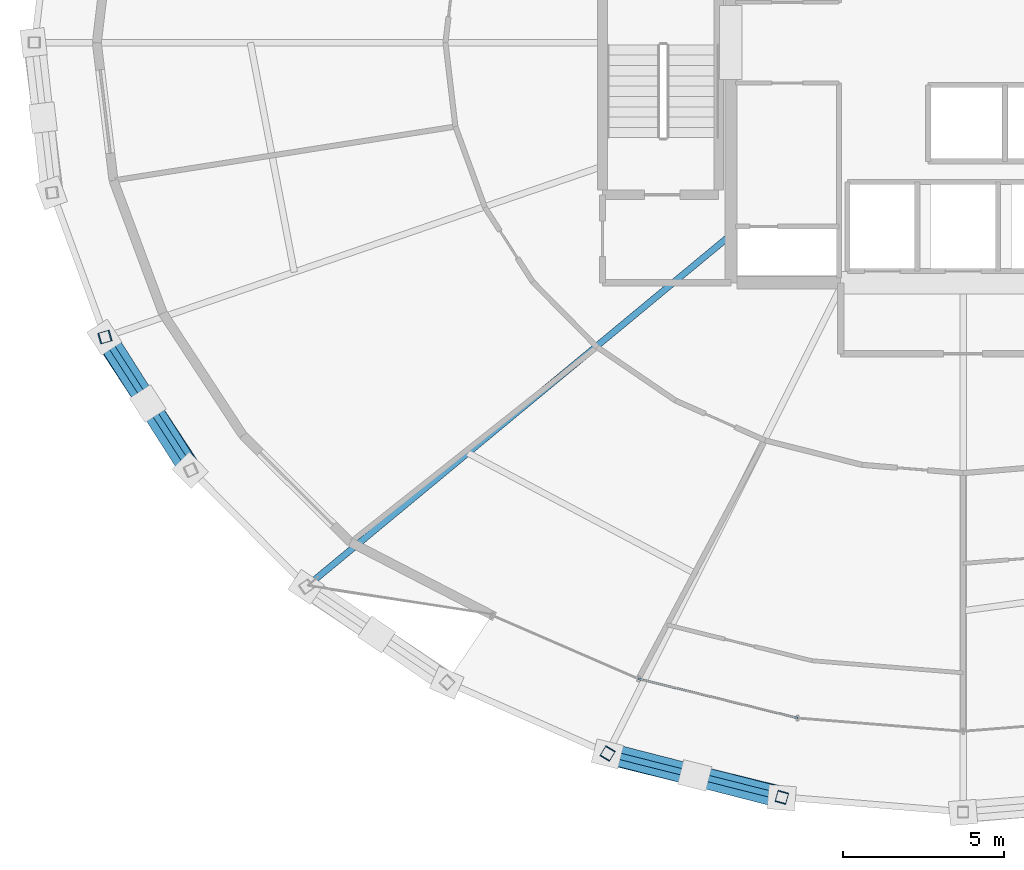
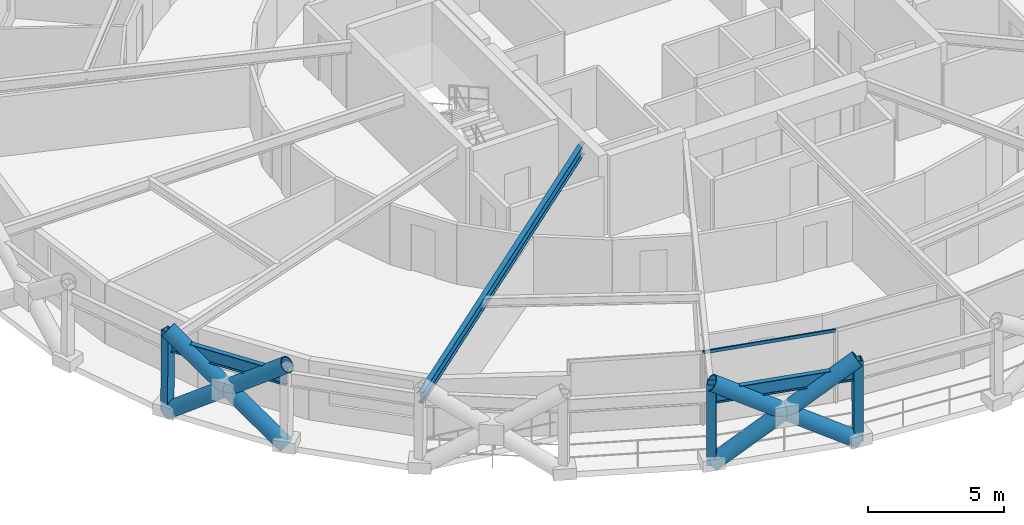
# One storey, part 2 of 23: 10 members, 3 beams, 1 element without a shape of its own.
"""IFC4 building model written with IfcOpenShell, lengths in metres."""

from ifc_helpers import new_model, si_unit, direction, frame, origin, origin_2d, place, context, subcontext, project, spatial, hollow_rectangle, hollow_circle, i_section, extrude, material, layer, layer_set, material_profile, profile_set, type_object, element, aggregate, save


model = new_model("IFC4")

# Units and contexts
model_context = context("Model", 3, precision=1e-05, world=origin(), true_north=direction((0.0, 1.0)))
body_context = subcontext(model_context, "Body", "Model", "MODEL_VIEW")
ifc_project = project(units=[si_unit("LENGTHUNIT", "METRE"), si_unit("AREAUNIT", "SQUARE_METRE"), si_unit("VOLUMEUNIT", "CUBIC_METRE"), si_unit("PLANEANGLEUNIT", "RADIAN"), si_unit("MASSUNIT", "GRAM", prefix="KILO")], contexts=[model_context])

# Site, building, storey
site_placement = place(None, origin())
site = spatial("IfcSite", under=ifc_project, at=site_placement, CompositionType="ELEMENT")
building_placement = place(site_placement, origin())
building = spatial("IfcBuilding", under=site, at=building_placement, Name="Veldorina Hangang Commons", CompositionType="ELEMENT")
storey_placement = place(building_placement, frame((0.0, 0.0, 102.39990234375)))
storey = spatial("IfcBuildingStorey", under=building, at=storey_placement, Name="L26", CompositionType="ELEMENT", Elevation=102.39990234375)

# Beams
ifc_material_1 = material(Name="Steel SM420-TMC", Category="steel")
ifc_material_profile_1 = material_profile(ifc_material_1, i_section(OverallWidth=0.199951171875, OverallDepth=0.5, WebThickness=0.010009765625, FlangeThickness=0.01611328125, FilletRadius=0.01611328125, at=origin_2d()), Name="H-500x200x10x16")
ifc_profile_set_1 = profile_set([ifc_material_profile_1], Name="Steel SM420-TMC")
beam_type_1 = type_object("IfcBeamType", Name="BM-FG500", PredefinedType="BEAM", material=ifc_profile_set_1)
beam_1_placement = place(storey_placement, frame((24.800048828125, 18.03466796875, 3.050048828125), z_axis=(-0.770039411269, -0.637996320595, 0.0), x_axis=(0.637996320595, -0.770039411269, 0.0)))
element("IfcBeam", 1, at=beam_1_placement, inside=storey, type_object=beam_type_1, Name="L26 radial floor girder 11", PredefinedType="BEAM", context=body_context, shape_type="SweptSolid", body=[
    extrude(i_section(OverallWidth=0.199951171875, OverallDepth=0.5, WebThickness=0.010009765625, FlangeThickness=0.01611328125, FilletRadius=0.01611328125, at=origin_2d()), origin(), (0.0, 0.0, 1.0), 17.086181640625),
])
ifc_material_profile_2 = material_profile(ifc_material_1, i_section(OverallWidth=0.199951171875, OverallDepth=0.60009765625, WebThickness=0.010986328125, FlangeThickness=0.01708984375, FilletRadius=0.01806640625, at=origin_2d()), Name="H-600x200x11x17")
ifc_profile_set_2 = profile_set([ifc_material_profile_2], Name="Steel SM420-TMC")
beam_type_2 = type_object("IfcBeamType", Name="BM-RB600", PredefinedType="BEAM", material=ifc_profile_set_2)
beam_2_placement = place(storey_placement, frame((5.40234375, 14.8720703125, 3.0), z_axis=(0.542112138845, -0.840306151898, 0.0), x_axis=(0.840306151898, 0.542112138845, 0.0)))
element("IfcBeam", 2, at=beam_2_placement, inside=storey, type_object=beam_type_2, Name="L26 perimeter hoop ring beam 18", PredefinedType="BEAM", context=body_context, shape_type="SweptSolid", body=[
    extrude(i_section(OverallWidth=0.199951171875, OverallDepth=0.60009765625, WebThickness=0.010986328125, FlangeThickness=0.01708984375, FilletRadius=0.01806640625, at=origin_2d()), origin(), (0.0, 0.0, 1.0), 4.907470703125),
])
beam_3_placement = place(storey_placement, frame((20.98291015625, 1.96337890625, 3.0), z_axis=(0.969834827594, -0.243763014394, 0.0), x_axis=(0.243763014394, 0.969834827594, 0.0)))
element("IfcBeam", 3, at=beam_3_placement, inside=storey, type_object=beam_type_2, Name="L26 perimeter hoop ring beam 22", PredefinedType="BEAM", context=body_context, shape_type="SweptSolid", body=[
    extrude(i_section(OverallWidth=0.199951171875, OverallDepth=0.60009765625, WebThickness=0.010986328125, FlangeThickness=0.01708984375, FilletRadius=0.01806640625, at=origin_2d()), origin(), (0.0, 0.0, 1.0), 5.568603515625),
])

# Curtain wall, member
ifc_material_2 = material(Name="Glass Low-E Triple IGU", Category="glass")
ifc_layer = layer(ifc_material_2, 0.179931640625)
ifc_layer_set = layer_set([ifc_layer], Name="Glass Low-E Triple IGU")
curtain_wall_type = type_object("IfcCurtainWallType", Name="CW-SYS-Z1", PredefinedType="NOTDEFINED", material=ifc_layer_set)
curtain_wall_placement = place(storey_placement, origin())
curtain_wall = element("IfcCurtainWall", 4, at=curtain_wall_placement, inside=storey, type_object=curtain_wall_type, Name="L26 unitised curtain wall CW-L26-R1", PredefinedType="NOTDEFINED")
ifc_material_3 = material(Name="Aluminium Anodized AA6063-T6", Category="aluminium")
ifc_material_profile_3 = material_profile(ifc_material_3, hollow_rectangle(XDim=0.06005859375, YDim=0.139892578125, WallThickness=0.00341796875, at=origin_2d()), Name="ALU-RHS-140x60x3.5")
ifc_profile_set_3 = profile_set([ifc_material_profile_3], Name="Aluminium Anodized AA6063-T6")
member_type_1 = type_object("IfcMemberType", Name="CW-TRN-140", PredefinedType="USERDEFINED", material=ifc_profile_set_3)
member_1_placement = place(storey_placement, frame((21.935546875, 4.271728515625, 3.22021484375), z_axis=(0.970984503722, -0.239142412659, 0.0), x_axis=(0.239142412659, 0.970984503722, 0.0)))
member_1 = element("IfcMember", 5, at=member_1_placement, type_object=member_type_1, Name="CW-L26-R1 facet 2 transom 1", ObjectType="TRANSOM", PredefinedType="USERDEFINED", context=body_context, shape_type="SweptSolid", body=[
    extrude(hollow_rectangle(XDim=0.06005859375, YDim=0.139892578125, WallThickness=0.00341796875, at=origin_2d()), origin(), (0.0, 0.0, 1.0), 5.0810546875),
])
aggregate(curtain_wall, [member_1])

# Members
ifc_material_4 = material(Name="Steel SM460-TMC", Category="steel")
ifc_material_profile_4 = material_profile(ifc_material_4, hollow_circle(Radius=0.324951171875, WallThickness=0.031982421875, at=origin_2d()), Name="CHS-650x32")
ifc_profile_set_4 = profile_set([ifc_material_profile_4], Name="Steel SM460-TMC")
member_type_2 = type_object("IfcMemberType", Name="DG-CHS650", PredefinedType="BRACE", material=ifc_profile_set_4)
member_2_placement = place(storey_placement, frame((5.374267578125, 14.864013671875, 0.0), z_axis=(0.442018336288, -0.674986398058, 0.590773351482), x_axis=(0.83658276717, 0.547840554973, 0.0)))
element("IfcMember", 6, at=member_2_placement, inside=storey, type_object=member_type_2, Name="L26 continuous perimeter diagrid brace 18", PredefinedType="BRACE", context=body_context, shape_type="SweptSolid", body=[
    extrude(hollow_circle(Radius=0.324951171875, WallThickness=0.031982421875, at=origin_2d()), origin(), (0.0, 0.0, 1.0), 6.093994140625),
])
member_3_placement = place(storey_placement, frame((8.037353515625, 10.736572265625, 0.0), z_axis=(-0.432407406292, 0.680185114704, 0.591922329972), x_axis=(-0.843907352672, -0.536488937543, 0.0)))
element("IfcMember", 7, at=member_3_placement, inside=storey, type_object=member_type_2, Name="L26 split perimeter diagrid lower brace 19", PredefinedType="BRACE", context=body_context, shape_type="SweptSolid", body=[
    extrude(hollow_circle(Radius=0.324951171875, WallThickness=0.031982421875, at=origin_2d()), origin(), (0.0, 0.0, 1.0), 3.042724609375),
])
member_4_placement = place(storey_placement, frame((6.7216796875, 12.80615234375, 1.801025390625), z_axis=(-0.432173096383, 0.68031114373, 0.591948614729), x_axis=(-0.844083933626, -0.536211071308, 0.0)))
element("IfcMember", 8, at=member_4_placement, inside=storey, type_object=member_type_2, Name="L26 split perimeter diagrid upper brace 19", PredefinedType="BRACE", context=body_context, shape_type="SweptSolid", body=[
    extrude(hollow_circle(Radius=0.324951171875, WallThickness=0.031982421875, at=origin_2d()), origin(), (0.0, 0.0, 1.0), 3.039306640625),
])
member_5_placement = place(storey_placement, frame((20.97119140625, 1.943603515625, 0.0), z_axis=(0.8157035138, -0.200927779939, 0.542453504757), x_axis=(0.239175300549, 0.970976403219, 0.0)))
element("IfcMember", 9, at=member_5_placement, inside=storey, type_object=member_type_2, Name="L26 continuous perimeter diagrid brace 22", PredefinedType="BRACE", context=body_context, shape_type="SweptSolid", body=[
    extrude(hollow_circle(Radius=0.324951171875, WallThickness=0.031982421875, at=origin_2d()), origin(), (0.0, 0.0, 1.0), 6.63671875),
])
member_6_placement = place(storey_placement, frame((26.377685546875, 0.5849609375, 0.0), z_axis=(-0.813410174456, 0.208449698132, 0.543058570911), x_axis=(-0.248244592546, -0.96869738426, 0.0)))
element("IfcMember", 10, at=member_6_placement, inside=storey, type_object=member_type_2, Name="L26 split perimeter diagrid lower brace 23", PredefinedType="BRACE", context=body_context, shape_type="SweptSolid", body=[
    extrude(hollow_circle(Radius=0.324951171875, WallThickness=0.031982421875, at=origin_2d()), origin(), (0.0, 0.0, 1.0), 3.31689453125),
])
member_7_placement = place(storey_placement, frame((23.6796875, 1.2763671875, 1.80126953125), z_axis=(-0.813386652004, 0.208579578214, 0.543043933668), x_axis=(-0.248396467615, -0.968658451094, 0.0)))
element("IfcMember", 11, at=member_7_placement, inside=storey, type_object=member_type_2, Name="L26 split perimeter diagrid upper brace 23", PredefinedType="BRACE", context=body_context, shape_type="SweptSolid", body=[
    extrude(hollow_circle(Radius=0.324951171875, WallThickness=0.031982421875, at=origin_2d()), origin(), (0.0, 0.0, 1.0), 3.3125),
])
ifc_material_5 = material(Name="Steel SM355-TMC", Category="steel")
ifc_material_profile_5 = material_profile(ifc_material_5, hollow_rectangle(XDim=0.35009765625, YDim=0.35009765625, WallThickness=0.01611328125, at=origin_2d()), Name="SHS-350x350x16")
ifc_profile_set_5 = profile_set([ifc_material_profile_5], Name="Steel SM355-TMC")
member_type_3 = type_object("IfcMemberType", Name="STR-SHS350", PredefinedType="STRUT", material=ifc_profile_set_5)
member_8_placement = place(storey_placement, frame((5.374267578125, 14.864013671875, 0.0), z_axis=(0.009425831661, 0.002712469543, 0.999951896946), x_axis=(-0.276546885391, 0.961000426733, 0.0)))
element("IfcMember", 12, at=member_8_placement, inside=storey, type_object=member_type_3, Name="L26 perimeter ring node post 18", PredefinedType="STRUT", context=body_context, shape_type="SweptSolid", body=[
    extrude(hollow_rectangle(XDim=0.35009765625, YDim=0.35009765625, WallThickness=0.01611328125, at=origin_2d()), origin(), (0.0, 0.0, 1.0), 3.600341796875),
])
for number, where, z_axis, x_axis, name in (
    (13, (20.97119140625, 1.943603515625, 0.0), (0.003933154521, 0.006577861872, 0.999970630583), (-0.858272659495, 0.513193961347, 0.0), "L26 perimeter ring node post 22"),
    (14, (26.377685546875, 0.5849609375, 0.0), (0.001966583243, 0.006984761174, 0.999973672484), (-0.962574785843, 0.271016201839, 0.0), "L26 perimeter ring node post 23"),
):
    element("IfcMember", number, at=place(storey_placement, frame(where, z_axis=z_axis, x_axis=x_axis)), inside=storey, type_object=member_type_3, Name=name, PredefinedType="STRUT", context=body_context, shape_type="SweptSolid", body=[
        extrude(hollow_rectangle(XDim=0.35009765625, YDim=0.35009765625, WallThickness=0.01611328125, at=origin_2d()), origin(), (0.0, 0.0, 1.0), 3.60009765625),
    ])

save(model, "model.ifc")
